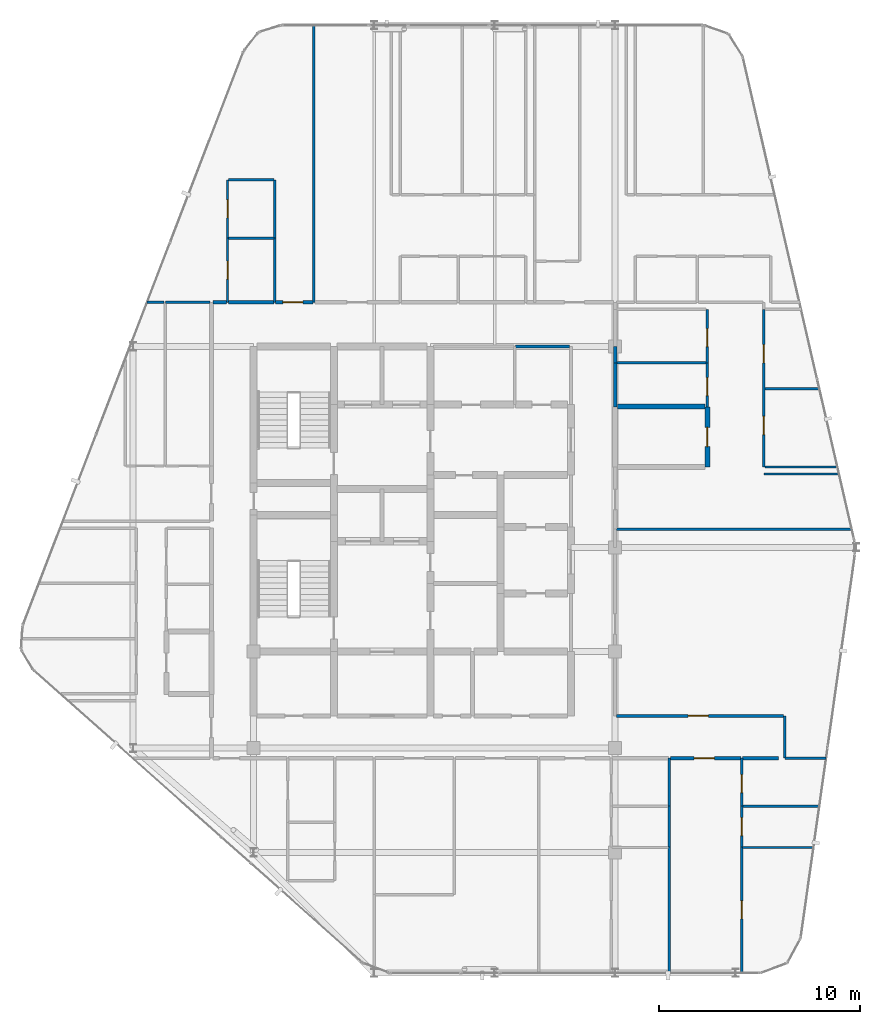
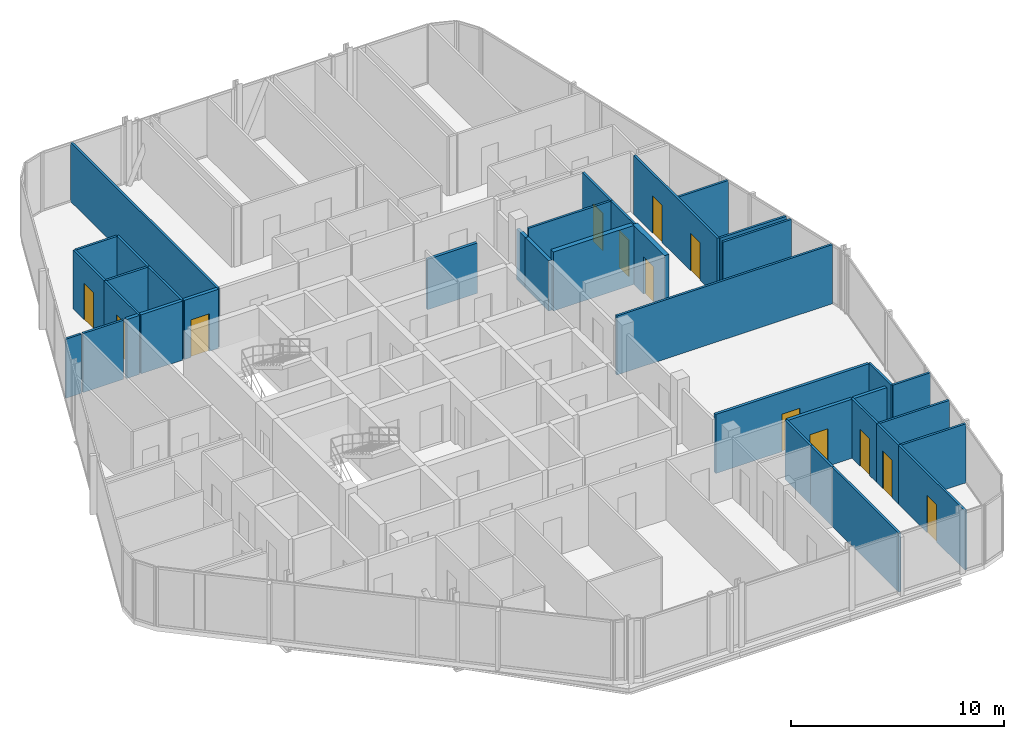
# One storey, part 25 of 28: 38 walls, 13 doors, 13 openings.
"""IFC4 building model written with IfcOpenShell, lengths in metres."""

import ifcopenshell
import ifcopenshell.guid

model = None  # the IFC model being written
_history = None  # IfcOwnerHistory: only IFC2X3 demands one
_inside = {}  # id of a spatial element -> (the spatial element, [elements in it])
_under = {}  # id of a project, library or spatial element -> (it, [spatial elements below it])
_declared = {}  # id of a project -> (the project, [libraries it declares])
_typed = {}  # id of a type object -> (the type object, [elements of that type])
_made_of = {}  # id of a material, layer set ... -> (it, [elements and type objects made of it])


def new_model(schema):
    """Start an empty IFC model of exactly this schema.

    Asked for "IFC4X3", IfcOpenShell would pick the latest addendum, in which some entities
    have other attributes; the version numbers below select the first issue.
    IFC2X3 requires an IfcOwnerHistory on every rooted entity: one is made here for all.
    """
    global model, _history
    if schema == "IFC4X3":
        model = ifcopenshell.file(schema_version=(4, 3, 0, 0))
    else:
        model = ifcopenshell.file(schema=schema)
    _inside.clear()
    _under.clear()
    _declared.clear()
    _typed.clear()
    _made_of.clear()
    _history = None
    if model.schema == "IFC2X3":
        org = make("IfcOrganization", Name="unknown")
        user = make(
            "IfcPersonAndOrganization",
            ThePerson=make("IfcPerson", FamilyName="unknown"),
            TheOrganization=org,
        )
        app = make(
            "IfcApplication",
            ApplicationDeveloper=org,
            Version="unknown",
            ApplicationFullName="unknown",
            ApplicationIdentifier="unknown",
        )
        _history = make(
            "IfcOwnerHistory",
            OwningUser=user,
            OwningApplication=app,
            ChangeAction="ADDED",
            CreationDate=0,
        )
    return model


def make(cls, **values):
    """One entity of the class cls with the attributes given. An attribute that is None is left unset."""
    return model.create_entity(
        cls, **{name: value for name, value in values.items() if value is not None}
    )


def rooted(cls, **values):
    """An entity with a GlobalId (a new one), such as an element, a storey or a relation."""
    return make(cls, GlobalId=ifcopenshell.guid.new(), OwnerHistory=_history, **values)


def si_unit(unit_type, name, prefix=None):
    """IfcSIUnit, for example si_unit("LENGTHUNIT", "METRE", prefix="MILLI")."""
    return make("IfcSIUnit", UnitType=unit_type, Prefix=prefix, Name=name)


def assignment(units):
    """IfcUnitAssignment: the units of a project."""
    return None if units is None else make("IfcUnitAssignment", Units=units)


def point(xyz):
    """IfcCartesianPoint."""
    return None if xyz is None else make("IfcCartesianPoint", Coordinates=xyz)


def direction(xyz):
    """IfcDirection."""
    return None if xyz is None else make("IfcDirection", DirectionRatios=xyz)


def frame(location, z_axis=None, x_axis=None):
    """IfcAxis2Placement3D, a coordinate frame: its origin and axes. An axis left out is left unset."""
    return make(
        "IfcAxis2Placement3D",
        Location=point(location),
        Axis=direction(z_axis),
        RefDirection=direction(x_axis),
    )


def frame_2d(location, x_axis=None):
    """IfcAxis2Placement2D, a coordinate frame in the plane: its origin and x axis."""
    return make(
        "IfcAxis2Placement2D", Location=point(location), RefDirection=direction(x_axis)
    )


def origin():
    """The frame at (0, 0, 0) with its axes left unset."""
    return frame((0.0, 0.0, 0.0))


def place(relative_to, where):
    """IfcLocalPlacement: puts the frame where relative to a parent placement (None: the world)."""
    return make(
        "IfcLocalPlacement", PlacementRelTo=relative_to, RelativePlacement=where
    )


def context(
    kind, dimensions, precision=None, world=None, true_north=None, identifier=None
):
    """IfcGeometricRepresentationContext, for example the 3D "Model" context."""
    return make(
        "IfcGeometricRepresentationContext",
        ContextIdentifier=identifier,
        ContextType=kind,
        CoordinateSpaceDimension=dimensions,
        Precision=precision,
        WorldCoordinateSystem=world,
        TrueNorth=true_north,
    )


def subcontext(parent, identifier, kind, view, scale=None):
    """IfcGeometricRepresentationSubContext, for example "Body" below "Model"."""
    return make(
        "IfcGeometricRepresentationSubContext",
        ContextIdentifier=identifier,
        ContextType=kind,
        ParentContext=parent,
        TargetScale=scale,
        TargetView=view,
    )


def project(units=None, contexts=None):
    """IfcProject with its units and contexts."""
    return rooted(
        "IfcProject",
        Name="project",
        RepresentationContexts=contexts,
        UnitsInContext=assignment(units),
    )


def spatial(cls, under=None, at=None, **own):
    """A site, building, storey or space (cls), placed at a placement, below another one or the project."""
    s = rooted(cls, ObjectPlacement=at, **own)
    if under is not None:
        _under.setdefault(under.id(), (under, []))[1].append(s)
    return s


def profile(cls, at=None, kind="AREA", **sizes):
    """A parametric profile (cls). Its sizes go by their IFC names, for example OverallWidth=200.0."""
    return make(cls, ProfileType=kind, Position=at, **sizes)


def rectangle(**sizes):
    """IfcRectangleProfileDef."""
    return profile("IfcRectangleProfileDef", **sizes)


def extrude(swept, where, along, depth):
    """IfcExtrudedAreaSolid: the profile swept, set in the frame where, extruded along a direction by depth."""
    return make(
        "IfcExtrudedAreaSolid",
        SweptArea=swept,
        Position=where,
        ExtrudedDirection=direction(along),
        Depth=depth,
    )


def shape(context_of_items, identifier, shape_type, items):
    """IfcShapeRepresentation: the items that make up one representation, for example the "Body"."""
    return make(
        "IfcShapeRepresentation",
        ContextOfItems=context_of_items,
        RepresentationIdentifier=identifier,
        RepresentationType=shape_type,
        Items=items,
    )


def material(Name=None, Category=None):
    """IfcMaterial."""
    return make("IfcMaterial", Name=Name, Category=Category)


def layer(
    of_material, thickness, ventilated=None, Name=None, Category=None, Priority=None
):
    """IfcMaterialLayer: one layer of a wall or slab, of a material (None: an air gap)."""
    return make(
        "IfcMaterialLayer",
        Material=of_material,
        LayerThickness=thickness,
        IsVentilated=ventilated,
        Name=Name,
        Category=Category,
        Priority=Priority,
    )


def layer_set(layers, Name=None):
    """IfcMaterialLayerSet."""
    return make("IfcMaterialLayerSet", MaterialLayers=layers, LayerSetName=Name)


def made_of(thing, what):
    """Note that an element or type object is made of a material, layer set ...; save() writes the relation."""
    if what is not None:
        _made_of.setdefault(what.id(), (what, []))[1].append(thing)
    return thing


def type_object(cls, material=None, **own):
    """A type object (cls), such as IfcWallType, which elements share."""
    return made_of(rooted(cls, **own), material)


def element(
    cls,
    number,
    at=None,
    inside=None,
    cuts=None,
    type_object=None,
    material=None,
    context=None,
    identifier="Body",
    shape_type=None,
    held_by="IfcProductDefinitionShape",
    body=None,
    shapes=None,
    **own,
):
    """One element of the class cls, such as IfcWall. Its Tag is "e" and its number.

    at: its placement. inside: the storey or other place that contains it. cuts: it is an
    opening in that element (IfcRelVoidsElement). A single representation is given by context,
    identifier, shape_type and body (its items); several are given by shapes. held_by: the class
    of the entity that holds the representations. save() writes the other relations.
    """
    e = rooted(cls, Tag="e%d" % number, ObjectPlacement=at, **own)
    if body is not None:
        shapes = [shape(context, identifier, shape_type, body)]
    if shapes is not None:
        e.Representation = make(held_by, Representations=shapes)
    if inside is not None:
        _inside.setdefault(inside.id(), (inside, []))[1].append(e)
    if cuts is not None:
        rooted(
            "IfcRelVoidsElement", RelatingBuildingElement=cuts, RelatedOpeningElement=e
        )
    if type_object is not None:
        _typed.setdefault(type_object.id(), (type_object, []))[1].append(e)
    return made_of(e, material)


def fill(opening, filler):
    """IfcRelFillsElement: the door or window that sits in an opening."""
    return rooted(
        "IfcRelFillsElement",
        RelatingOpeningElement=opening,
        RelatedBuildingElement=filler,
    )


def aggregate(whole, parts):
    """IfcRelAggregates: a whole, such as a stair, and the parts it consists of."""
    return rooted("IfcRelAggregates", RelatingObject=whole, RelatedObjects=parts)


def save(model, path):
    """Write the relations noted so far, then the file.

    IfcRelAggregates (storeys below a building ...), IfcRelContainedInSpatialStructure (elements
    in a storey), IfcRelDefinesByType, IfcRelAssociatesMaterial and IfcRelDeclares: one each for
    every whole, place, type object, material and project.
    """
    for whole, parts in _under.values():
        aggregate(whole, parts)
    for where, things in _inside.values():
        rooted(
            "IfcRelContainedInSpatialStructure",
            RelatedElements=things,
            RelatingStructure=where,
        )
    for kind, things in _typed.values():
        rooted("IfcRelDefinesByType", RelatedObjects=things, RelatingType=kind)
    for what, things in _made_of.values():
        rooted("IfcRelAssociatesMaterial", RelatedObjects=things, RelatingMaterial=what)
    for by, libraries in _declared.values():
        rooted("IfcRelDeclares", RelatingContext=by, RelatedDefinitions=libraries)
    model.write(path)


model = new_model("IFC4")

# Units and contexts
model_context = context("Model", 3, precision=1e-05, world=origin(), true_north=direction((0.0, 1.0)))
body_context = subcontext(model_context, "Body", "Model", "MODEL_VIEW")
ifc_project = project(units=[si_unit("LENGTHUNIT", "METRE"), si_unit("AREAUNIT", "SQUARE_METRE"), si_unit("VOLUMEUNIT", "CUBIC_METRE"), si_unit("PLANEANGLEUNIT", "RADIAN"), si_unit("MASSUNIT", "GRAM", prefix="KILO")], contexts=[model_context])

# Site, building, storey
site_placement = place(None, origin())
site = spatial("IfcSite", under=ifc_project, at=site_placement, CompositionType="ELEMENT")
building_placement = place(site_placement, origin())
building = spatial("IfcBuilding", under=site, at=building_placement, Name="Keshet Zoharim Tower", CompositionType="ELEMENT")
storey_placement = place(building_placement, frame((0.0, 0.0, 303.60009765625)))
storey = spatial("IfcBuildingStorey", under=building, at=storey_placement, Name="L76", CompositionType="ELEMENT", Elevation=303.60009765625)

# Wall, opening, door
ifc_material_1 = material(Name="Gypsum Plasterboard", Category="gypsum")
ifc_layer_1 = layer(ifc_material_1, 0.14990234375)
ifc_layer_set_1 = layer_set([ifc_layer_1], Name="Gypsum Plasterboard")
wall_type_1 = type_object("IfcWallType", Name="WL-CLIN-150", PredefinedType="STANDARD", material=ifc_layer_set_1)
wall_1_placement = place(storey_placement, frame((33.06005859375, 19.5, 0.0), z_axis=(0.0, 0.0, 1.0), x_axis=(1.0, 0.0, 0.0)))
wall_1 = element("IfcWall", 1, at=wall_1_placement, inside=storey, type_object=wall_type_1, Name="L76 Interior Wall 115", PredefinedType="STANDARD", context=body_context, shape_type="SweptSolid", body=[
    extrude(rectangle(XDim=8.322998046875, YDim=0.14990234375, at=frame_2d((4.16162109375, 0.0))), origin(), (0.0, 0.0, 1.0), 3.389892578125),
])
opening_1_placement = place(wall_1_placement, frame((3.5830078125, 0.0, 0.0)))
opening_1 = element("IfcOpeningElement", 2, at=opening_1_placement, cuts=wall_1, Name="Opening D-F310", PredefinedType="OPENING", context=body_context, shape_type="SweptSolid", body=[
    extrude(rectangle(XDim=1.0, YDim=2.14990234375, at=frame_2d((0.5, 1.074951171875))), frame((0.0, 0.0849609375, 0.0), z_axis=(0.0, -1.0, 0.0), x_axis=(1.0, 0.0, 0.0)), (0.0, 0.0, 1.0), 0.169921875),
])
ifc_material_2 = material(Name="Hardwood Timber", Category="wood")
door_type_1 = type_object("IfcDoorType", Name="DR-FD30-100", OperationType="NOTDEFINED", PredefinedType="DOOR", material=ifc_material_2)
door_1_placement = place(opening_1_placement, origin())
door_1 = element("IfcDoor", 3, at=door_1_placement, inside=storey, type_object=door_type_1, Name="L76 South West Residents Services Suite Door 2", OperationType="SINGLE_SWING_LEFT", OverallHeight=2.14990234375, OverallWidth=1.0, PredefinedType="DOOR", context=body_context, shape_type="SweptSolid", body=[
    extrude(rectangle(XDim=1.0, YDim=2.14990234375, at=frame_2d((0.5, 1.074951171875))), frame((0.0, 0.02490234375, 0.0), z_axis=(0.0, -1.0, 0.0), x_axis=(1.0, 0.0, 0.0)), (0.0, 0.0, 1.0), 0.050048828125),
])
fill(opening_1, door_1)

# Walls
wall_2_placement = place(storey_placement, frame((28.044921875, 37.89990234375, 0.0), z_axis=(0.0, 0.0, 1.0), x_axis=(1.0, 0.0, 0.0)))
element("IfcWall", 4, at=wall_2_placement, inside=storey, type_object=wall_type_1, Name="L76 Interior Wall 157", PredefinedType="STANDARD", context=body_context, shape_type="SweptSolid", body=[
    extrude(rectangle(XDim=2.695068359375, YDim=0.14990234375, at=frame_2d((1.34765625, 0.0))), origin(), (0.0, 0.0, 1.0), 2.889892578125),
])
ifc_layer_2 = layer(ifc_material_1, 0.179931640625)
ifc_layer_set_2 = layer_set([ifc_layer_2], Name="Gypsum Plasterboard")
wall_type_2 = type_object("IfcWallType", Name="WL-CORR-180", PredefinedType="STANDARD", material=ifc_layer_set_2)
wall_3_placement = place(storey_placement, frame((33.0, 34.883056640625, 0.0), z_axis=(0.0, 0.0, 1.0), x_axis=(0.0, 1.0, 0.0)))
element("IfcWall", 5, at=wall_3_placement, inside=storey, type_object=wall_type_2, Name="L76 Interior Wall 072", PredefinedType="STANDARD", context=body_context, shape_type="SweptSolid", body=[
    extrude(rectangle(XDim=2.197998046875, YDim=0.179931640625, at=frame_2d((1.09912109375, 0.0))), origin(), (0.0, 0.0, 1.0), 2.889892578125),
])
wall_4_placement = place(storey_placement, frame((33.0, 37.0810546875, 0.0), z_axis=(0.0, 0.0, 1.0), x_axis=(0.0, 1.0, 0.0)))
element("IfcWall", 6, at=wall_4_placement, inside=storey, type_object=wall_type_2, Name="L76 Interior Wall 073", PredefinedType="STANDARD", context=body_context, shape_type="SweptSolid", body=[
    extrude(rectangle(XDim=0.81884765625, YDim=0.179931640625, at=frame_2d((0.409423828125, 0.0))), origin(), (0.0, 0.0, 1.0), 2.889892578125),
])

# Wall, opening, door
wall_5_placement = place(storey_placement, frame((35.7548828125, 17.39990234375, 0.0), z_axis=(0.0, 0.0, 1.0), x_axis=(1.0, 0.0, 0.0)))
wall_5 = element("IfcWall", 7, at=wall_5_placement, inside=storey, type_object=wall_type_2, Name="L76 Interior Wall 108", PredefinedType="STANDARD", context=body_context, shape_type="SweptSolid", body=[
    extrude(rectangle(XDim=3.510009765625, YDim=0.179931640625, at=frame_2d((1.7548828125, 0.0))), origin(), (0.0, 0.0, 1.0), 3.389892578125),
])
opening_2_placement = place(wall_5_placement, frame((1.18505859375, 0.0, 0.0)))
opening_2 = element("IfcOpeningElement", 8, at=opening_2_placement, cuts=wall_5, Name="Opening D-F310", PredefinedType="OPENING", context=body_context, shape_type="SweptSolid", body=[
    extrude(rectangle(XDim=1.0, YDim=2.14990234375, at=frame_2d((0.5, 1.074951171875))), frame((0.0, 0.10009765625, 0.0), z_axis=(0.0, -1.0, 0.0), x_axis=(1.0, 0.0, 0.0)), (0.0, 0.0, 1.0), 0.199951171875),
])
door_2_placement = place(opening_2_placement, origin())
door_2 = element("IfcDoor", 9, at=door_2_placement, inside=storey, type_object=door_type_1, Name="Apartment 7603 Entrance Door", OperationType="SINGLE_SWING_RIGHT", OverallHeight=2.14990234375, OverallWidth=1.0, PredefinedType="DOOR", context=body_context, shape_type="SweptSolid", body=[
    extrude(rectangle(XDim=1.0, YDim=2.14990234375, at=frame_2d((0.5, 1.074951171875))), frame((0.0, 0.02490234375, 0.0), z_axis=(0.0, -1.0, 0.0), x_axis=(1.0, 0.0, 0.0)), (0.0, 0.0, 1.0), 0.050048828125),
])
fill(opening_2, door_2)

# Walls
wall_6_placement = place(storey_placement, frame((39.35498046875, 17.39990234375, 0.0), z_axis=(0.0, 0.0, 1.0), x_axis=(1.0, 0.0, 0.0)))
element("IfcWall", 10, at=wall_6_placement, inside=storey, type_object=wall_type_2, Name="L76 Interior Wall 109", PredefinedType="STANDARD", context=body_context, shape_type="SweptSolid", body=[
    extrude(rectangle(XDim=1.77490234375, YDim=0.179931640625, at=frame_2d((0.887451171875, 0.0))), origin(), (0.0, 0.0, 1.0), 3.389892578125),
])
wall_7_placement = place(storey_placement, frame((12.97509765625, 40.10009765625, 0.0), z_axis=(0.0, 0.0, 1.0), x_axis=(1.0, 0.0, 0.0)))
element("IfcWall", 11, at=wall_7_placement, inside=storey, type_object=wall_type_2, Name="L76 Interior Wall 162", PredefinedType="STANDARD", context=body_context, shape_type="SweptSolid", body=[
    extrude(rectangle(XDim=0.679931640625, YDim=0.179931640625, at=frame_2d((0.33984375, 0.0))), origin(), (0.0, 0.0, 1.0), 3.389892578125),
])
wall_8_placement = place(storey_placement, frame((13.7451171875, 40.10009765625, 0.0), z_axis=(0.0, 0.0, 1.0), x_axis=(1.0, 0.0, 0.0)))
element("IfcWall", 12, at=wall_8_placement, inside=storey, type_object=wall_type_2, Name="L76 Interior Wall 163", PredefinedType="STANDARD", context=body_context, shape_type="SweptSolid", body=[
    extrude(rectangle(XDim=2.259765625, YDim=0.179931640625, at=frame_2d((1.1298828125, 0.0))), origin(), (0.0, 0.0, 1.0), 3.389892578125),
])

# Wall, opening, door
wall_9_placement = place(storey_placement, frame((16.094970703125, 40.10009765625, 0.0), z_axis=(0.0, 0.0, 1.0), x_axis=(1.0, 0.0, 0.0)))
wall_9 = element("IfcWall", 13, at=wall_9_placement, inside=storey, type_object=wall_type_2, Name="L76 Interior Wall 164", PredefinedType="STANDARD", context=body_context, shape_type="SweptSolid", body=[
    extrude(rectangle(XDim=1.860107421875, YDim=0.179931640625, at=frame_2d((0.93017578125, 0.0))), origin(), (0.0, 0.0, 1.0), 3.389892578125),
])
opening_3_placement = place(wall_9_placement, frame((0.35693359375, 0.0, 0.0)))
opening_3 = element("IfcOpeningElement", 14, at=opening_3_placement, cuts=wall_9, Name="Opening D-F310", PredefinedType="OPENING", context=body_context, shape_type="SweptSolid", body=[
    extrude(rectangle(XDim=1.0, YDim=2.14990234375, at=frame_2d((0.5, 1.074951171875))), frame((0.0, 0.10009765625, 0.0), z_axis=(0.0, -1.0, 0.0), x_axis=(1.0, 0.0, 0.0)), (0.0, 0.0, 1.0), 0.199951171875),
])
door_3_placement = place(opening_3_placement, origin())
door_3 = element("IfcDoor", 15, at=door_3_placement, inside=storey, type_object=door_type_1, Name="Apartment 7604 Entrance Door", OperationType="SINGLE_SWING_RIGHT", OverallHeight=2.14990234375, OverallWidth=1.0, PredefinedType="DOOR", context=body_context, shape_type="SweptSolid", body=[
    extrude(rectangle(XDim=1.0, YDim=2.14990234375, at=frame_2d((0.5, 1.074951171875))), frame((0.0, 0.02490234375, 0.0), z_axis=(0.0, -1.0, 0.0), x_axis=(1.0, 0.0, 0.0)), (0.0, 0.0, 1.0), 0.050048828125),
])
fill(opening_3, door_3)

ifc_material_3 = material(Name="Concrete C50/60", Category="concrete")
ifc_layer_3 = layer(ifc_material_3, 0.25)
ifc_layer_set_3 = layer_set([ifc_layer_3], Name="Concrete C50/60")
wall_type_3 = type_object("IfcWallType", Name="WL-MAMAD-250", PredefinedType="STANDARD", material=ifc_layer_set_3)
wall_10_placement = place(storey_placement, frame((37.60009765625, 31.89990234375, 0.0), z_axis=(0.0, 0.0, 1.0), x_axis=(0.0, 1.0, 0.0)))
wall_10 = element("IfcWall", 16, at=wall_10_placement, inside=storey, type_object=wall_type_3, Name="L76 Interior Wall 083", PredefinedType="STANDARD", context=body_context, shape_type="SweptSolid", body=[
    extrude(rectangle(XDim=2.983154296875, YDim=0.25, at=frame_2d((1.49169921875, 0.0))), origin(), (0.0, 0.0, 1.0), 3.389892578125),
])
opening_4_placement = place(wall_10_placement, frame((1.01708984375, 0.0, 0.0)))
opening_4 = element("IfcOpeningElement", 17, at=opening_4_placement, cuts=wall_10, Name="Opening D-F695", PredefinedType="OPENING", context=body_context, shape_type="SweptSolid", body=[
    extrude(rectangle(XDim=0.949951171875, YDim=2.14990234375, at=frame_2d((0.47509765625, 1.074951171875))), frame((0.0, 0.135009765625, 0.0), z_axis=(0.0, -1.0, 0.0), x_axis=(1.0, 0.0, 0.0)), (0.0, 0.0, 1.0), 0.27001953125),
])
door_type_2 = type_object("IfcDoorType", Name="DR-FD60-095", OperationType="NOTDEFINED", PredefinedType="DOOR", material=ifc_material_2)
door_4_placement = place(opening_4_placement, origin())
door_4 = element("IfcDoor", 18, at=door_4_placement, inside=storey, type_object=door_type_2, Name="Apartment 7609 Study and Shelter Room Door", OperationType="SINGLE_SWING_RIGHT", OverallHeight=2.14990234375, OverallWidth=0.949951171875, PredefinedType="DOOR", context=body_context, shape_type="SweptSolid", body=[
    extrude(rectangle(XDim=0.949951171875, YDim=2.14990234375, at=frame_2d((0.47509765625, 1.074951171875))), frame((0.0, 0.02490234375, 0.0), z_axis=(0.0, -1.0, 0.0), x_axis=(1.0, 0.0, 0.0)), (0.0, 0.0, 1.0), 0.050048828125),
])
fill(opening_4, door_4)

# Wall
wall_11_placement = place(storey_placement, frame((33.110107421875, 34.89990234375, 0.0), z_axis=(0.0, 0.0, 1.0), x_axis=(1.0, 0.0, 0.0)))
element("IfcWall", 19, at=wall_11_placement, inside=storey, type_object=wall_type_3, Name="L76 Interior Wall 148", PredefinedType="STANDARD", context=body_context, shape_type="SweptSolid", body=[
    extrude(rectangle(XDim=4.35986328125, YDim=0.25, at=frame_2d((2.179931640625, 0.0))), origin(), (0.0, 0.0, 1.0), 3.389892578125),
])

# Wall, opening, door
ifc_layer_4 = layer(ifc_material_1, 0.1201171875)
ifc_layer_set_4 = layer_set([ifc_layer_4], Name="Gypsum Plasterboard")
wall_type_4 = type_object("IfcWallType", Name="WL-PART-120", PredefinedType="PARTITIONING", material=ifc_layer_set_4)
wall_12_placement = place(storey_placement, frame((13.699951171875, 40.10009765625, 0.0), z_axis=(0.0, 0.0, 1.0), x_axis=(0.0, 1.0, 0.0)))
wall_12 = element("IfcWall", 20, at=wall_12_placement, inside=storey, type_object=wall_type_4, Name="L76 Interior Wall 013", PredefinedType="PARTITIONING", context=body_context, shape_type="SweptSolid", body=[
    extrude(rectangle(XDim=3.199951171875, YDim=0.1201171875, at=frame_2d((1.60009765625, 0.0))), origin(), (0.0, 0.0, 1.0), 3.389892578125),
])
opening_5_placement = place(wall_12_placement, frame((1.14990234375, 0.0, 0.0)))
opening_5 = element("IfcOpeningElement", 21, at=opening_5_placement, cuts=wall_12, Name="Opening D-IN90", PredefinedType="OPENING", context=body_context, shape_type="SweptSolid", body=[
    extrude(rectangle(XDim=0.89990234375, YDim=2.14990234375, at=frame_2d((0.449951171875, 1.074951171875))), frame((0.0, 0.070068359375, 0.0), z_axis=(0.0, -1.0, 0.0), x_axis=(1.0, 0.0, 0.0)), (0.0, 0.0, 1.0), 0.14013671875),
])
door_type_3 = type_object("IfcDoorType", Name="DR-INT-090", OperationType="NOTDEFINED", PredefinedType="DOOR", material=ifc_material_2)
door_5_placement = place(opening_5_placement, origin())
door_5 = element("IfcDoor", 22, at=door_5_placement, inside=storey, type_object=door_type_3, Name="Apartment 7604 Kitchenette Door", OperationType="SINGLE_SWING_LEFT", OverallHeight=2.14990234375, OverallWidth=0.89990234375, PredefinedType="DOOR", context=body_context, shape_type="SweptSolid", body=[
    extrude(rectangle(XDim=0.89990234375, YDim=2.14990234375, at=frame_2d((0.449951171875, 1.074951171875))), frame((0.0, 0.02490234375, 0.0), z_axis=(0.0, -1.0, 0.0), x_axis=(1.0, 0.0, 0.0)), (0.0, 0.0, 1.0), 0.050048828125),
])
fill(opening_5, door_5)

# Walls
wall_13_placement = place(storey_placement, frame((16.050048828125, 40.10009765625, 0.0), z_axis=(0.0, 0.0, 1.0), x_axis=(0.0, 1.0, 0.0)))
element("IfcWall", 23, at=wall_13_placement, inside=storey, type_object=wall_type_4, Name="L76 Interior Wall 019", PredefinedType="PARTITIONING", context=body_context, shape_type="SweptSolid", body=[
    extrude(rectangle(XDim=3.199951171875, YDim=0.1201171875, at=frame_2d((1.60009765625, 0.0))), origin(), (0.0, 0.0, 1.0), 3.389892578125),
])
wall_14_placement = place(storey_placement, frame((18.0, 40.10009765625, 0.0), z_axis=(0.0, 0.0, 1.0), x_axis=(0.0, 1.0, 0.0)))
element("IfcWall", 24, at=wall_14_placement, inside=storey, type_object=wall_type_4, Name="L76 Interior Wall 023", PredefinedType="PARTITIONING", context=body_context, shape_type="SweptSolid", body=[
    extrude(rectangle(XDim=13.789794921875, YDim=0.1201171875, at=frame_2d((6.89501953125, 0.0))), origin(), (0.0, 0.0, 1.0), 3.389892578125),
])
wall_15_placement = place(storey_placement, frame((35.699951171875, 6.7099609375, 0.0), z_axis=(0.0, 0.0, 1.0), x_axis=(0.0, 1.0, 0.0)))
element("IfcWall", 25, at=wall_15_placement, inside=storey, type_object=wall_type_4, Name="L76 Interior Wall 078", PredefinedType="PARTITIONING", context=body_context, shape_type="SweptSolid", body=[
    extrude(rectangle(XDim=6.260009765625, YDim=0.1201171875, at=frame_2d((3.1298828125, 0.0))), origin(), (0.0, 0.0, 1.0), 3.389892578125),
])
wall_16_placement = place(storey_placement, frame((35.699951171875, 12.969970703125, 0.0), z_axis=(0.0, 0.0, 1.0), x_axis=(0.0, 1.0, 0.0)))
element("IfcWall", 26, at=wall_16_placement, inside=storey, type_object=wall_type_4, Name="L76 Interior Wall 079", PredefinedType="PARTITIONING", context=body_context, shape_type="SweptSolid", body=[
    extrude(rectangle(XDim=2.0380859375, YDim=0.1201171875, at=frame_2d((1.01904296875, 0.0))), origin(), (0.0, 0.0, 1.0), 3.389892578125),
])

# Wall, opening, door
wall_17_placement = place(storey_placement, frame((37.60009765625, 37.0810546875, 0.0), z_axis=(0.0, 0.0, 1.0), x_axis=(0.0, 1.0, 0.0)))
wall_17 = element("IfcWall", 27, at=wall_17_placement, inside=storey, type_object=wall_type_4, Name="L76 Interior Wall 085", PredefinedType="PARTITIONING", context=body_context, shape_type="SweptSolid", body=[
    extrude(rectangle(XDim=2.6689453125, YDim=0.1201171875, at=frame_2d((1.33447265625, 0.0))), origin(), (0.0, 0.0, 1.0), 3.389892578125),
])
opening_6_placement = place(wall_17_placement, frame((0.81396484375, 0.0, 0.0)))
opening_6 = element("IfcOpeningElement", 28, at=opening_6_placement, cuts=wall_17, Name="Opening D-IN90", PredefinedType="OPENING", context=body_context, shape_type="SweptSolid", body=[
    extrude(rectangle(XDim=0.89990234375, YDim=2.14990234375, at=frame_2d((0.449951171875, 1.074951171875))), frame((0.0, 0.070068359375, 0.0), z_axis=(0.0, -1.0, 0.0), x_axis=(1.0, 0.0, 0.0)), (0.0, 0.0, 1.0), 0.14013671875),
])
door_6_placement = place(opening_6_placement, origin())
door_6 = element("IfcDoor", 29, at=door_6_placement, inside=storey, type_object=door_type_3, Name="Apartment 7609 Kitchen Door", OperationType="SINGLE_SWING_RIGHT", OverallHeight=2.14990234375, OverallWidth=0.89990234375, PredefinedType="DOOR", context=body_context, shape_type="SweptSolid", body=[
    extrude(rectangle(XDim=0.89990234375, YDim=2.14990234375, at=frame_2d((0.449951171875, 1.074951171875))), frame((0.0, 0.02490234375, 0.0), z_axis=(0.0, -1.0, 0.0), x_axis=(1.0, 0.0, 0.0)), (0.0, 0.0, 1.0), 0.050048828125),
])
fill(opening_6, door_6)

wall_18_placement = place(storey_placement, frame((39.300048828125, 6.7099609375, 0.0), z_axis=(0.0, 0.0, 1.0), x_axis=(0.0, 1.0, 0.0)))
wall_18 = element("IfcWall", 30, at=wall_18_placement, inside=storey, type_object=wall_type_4, Name="L76 Interior Wall 086", PredefinedType="PARTITIONING", context=body_context, shape_type="SweptSolid", body=[
    extrude(rectangle(XDim=6.260009765625, YDim=0.1201171875, at=frame_2d((3.1298828125, 0.0))), origin(), (0.0, 0.0, 1.0), 3.389892578125),
])
opening_7_placement = place(wall_18_placement, frame((2.679931640625, 0.0, 0.0)))
opening_7 = element("IfcOpeningElement", 31, at=opening_7_placement, cuts=wall_18, Name="Opening D-IN90", PredefinedType="OPENING", context=body_context, shape_type="SweptSolid", body=[
    extrude(rectangle(XDim=0.89990234375, YDim=2.14990234375, at=frame_2d((0.449951171875, 1.074951171875))), frame((0.0, 0.070068359375, 0.0), z_axis=(0.0, -1.0, 0.0), x_axis=(1.0, 0.0, 0.0)), (0.0, 0.0, 1.0), 0.14013671875),
])
door_7_placement = place(opening_7_placement, origin())
door_7 = element("IfcDoor", 32, at=door_7_placement, inside=storey, type_object=door_type_3, Name="Apartment 7603 Bedroom 1 Door", OperationType="SINGLE_SWING_LEFT", OverallHeight=2.14990234375, OverallWidth=0.89990234375, PredefinedType="DOOR", context=body_context, shape_type="SweptSolid", body=[
    extrude(rectangle(XDim=0.89990234375, YDim=2.14990234375, at=frame_2d((0.449951171875, 1.074951171875))), frame((0.0, 0.02490234375, 0.0), z_axis=(0.0, -1.0, 0.0), x_axis=(1.0, 0.0, 0.0)), (0.0, 0.0, 1.0), 0.050048828125),
])
fill(opening_7, door_7)

wall_19_placement = place(storey_placement, frame((39.300048828125, 12.969970703125, 0.0), z_axis=(0.0, 0.0, 1.0), x_axis=(0.0, 1.0, 0.0)))
wall_19 = element("IfcWall", 33, at=wall_19_placement, inside=storey, type_object=wall_type_4, Name="L76 Interior Wall 087", PredefinedType="PARTITIONING", context=body_context, shape_type="SweptSolid", body=[
    extrude(rectangle(XDim=2.0380859375, YDim=0.1201171875, at=frame_2d((1.01904296875, 0.0))), origin(), (0.0, 0.0, 1.0), 3.389892578125),
])
opening_8_placement = place(wall_19_placement, frame((0.569091796875, 0.0, 0.0)))
opening_8 = element("IfcOpeningElement", 34, at=opening_8_placement, cuts=wall_19, Name="Opening D-IN90", PredefinedType="OPENING", context=body_context, shape_type="SweptSolid", body=[
    extrude(rectangle(XDim=0.89990234375, YDim=2.14990234375, at=frame_2d((0.449951171875, 1.074951171875))), frame((0.0, 0.070068359375, 0.0), z_axis=(0.0, -1.0, 0.0), x_axis=(1.0, 0.0, 0.0)), (0.0, 0.0, 1.0), 0.14013671875),
])
door_8_placement = place(opening_8_placement, origin())
door_8 = element("IfcDoor", 35, at=door_8_placement, inside=storey, type_object=door_type_3, Name="Apartment 7603 Kitchen Door", OperationType="SINGLE_SWING_RIGHT", OverallHeight=2.14990234375, OverallWidth=0.89990234375, PredefinedType="DOOR", context=body_context, shape_type="SweptSolid", body=[
    extrude(rectangle(XDim=0.89990234375, YDim=2.14990234375, at=frame_2d((0.449951171875, 1.074951171875))), frame((0.0, 0.02490234375, 0.0), z_axis=(0.0, -1.0, 0.0), x_axis=(1.0, 0.0, 0.0)), (0.0, 0.0, 1.0), 0.050048828125),
])
fill(opening_8, door_8)

# Wall, openings, doors
wall_20_placement = place(storey_placement, frame((40.39990234375, 31.89990234375, 0.0), z_axis=(0.0, 0.0, 1.0), x_axis=(0.0, 1.0, 0.0)))
wall_20 = element("IfcWall", 36, at=wall_20_placement, inside=storey, type_object=wall_type_4, Name="L76 Interior Wall 089", PredefinedType="PARTITIONING", context=body_context, shape_type="SweptSolid", body=[
    extrude(rectangle(XDim=7.85009765625, YDim=0.1201171875, at=frame_2d((3.925048828125, 0.0))), origin(), (0.0, 0.0, 1.0), 3.389892578125),
])
opening_9_placement = place(wall_20_placement, frame((1.614990234375, 0.0, 0.0)))
opening_9 = element("IfcOpeningElement", 37, at=opening_9_placement, cuts=wall_20, Name="Opening D-IN90", PredefinedType="OPENING", context=body_context, shape_type="SweptSolid", body=[
    extrude(rectangle(XDim=0.89990234375, YDim=2.14990234375, at=frame_2d((0.449951171875, 1.074951171875))), frame((0.0, 0.070068359375, 0.0), z_axis=(0.0, -1.0, 0.0), x_axis=(1.0, 0.0, 0.0)), (0.0, 0.0, 1.0), 0.14013671875),
])
opening_10_placement = place(wall_20_placement, frame((5.18994140625, 0.0, 0.0)))
opening_10 = element("IfcOpeningElement", 38, at=opening_10_placement, cuts=wall_20, Name="Opening D-IN90", PredefinedType="OPENING", context=body_context, shape_type="SweptSolid", body=[
    extrude(rectangle(XDim=0.89990234375, YDim=2.14990234375, at=frame_2d((0.449951171875, 1.074951171875))), frame((0.0, 0.070068359375, 0.0), z_axis=(0.0, -1.0, 0.0), x_axis=(1.0, 0.0, 0.0)), (0.0, 0.0, 1.0), 0.14013671875),
])
door_9_placement = place(opening_9_placement, origin())
door_9 = element("IfcDoor", 39, at=door_9_placement, inside=storey, type_object=door_type_3, Name="Apartment 7609 Bedroom 1 Door", OperationType="SINGLE_SWING_RIGHT", OverallHeight=2.14990234375, OverallWidth=0.89990234375, PredefinedType="DOOR", context=body_context, shape_type="SweptSolid", body=[
    extrude(rectangle(XDim=0.89990234375, YDim=2.14990234375, at=frame_2d((0.449951171875, 1.074951171875))), frame((0.0, 0.02490234375, 0.0), z_axis=(0.0, -1.0, 0.0), x_axis=(1.0, 0.0, 0.0)), (0.0, 0.0, 1.0), 0.050048828125),
])
fill(opening_9, door_9)
door_10_placement = place(opening_10_placement, origin())
door_10 = element("IfcDoor", 40, at=door_10_placement, inside=storey, type_object=door_type_3, Name="Apartment 7609 Bedroom 2 Door", OperationType="SINGLE_SWING_LEFT", OverallHeight=2.14990234375, OverallWidth=0.89990234375, PredefinedType="DOOR", context=body_context, shape_type="SweptSolid", body=[
    extrude(rectangle(XDim=0.89990234375, YDim=2.14990234375, at=frame_2d((0.449951171875, 1.074951171875))), frame((0.0, 0.02490234375, 0.0), z_axis=(0.0, -1.0, 0.0), x_axis=(1.0, 0.0, 0.0)), (0.0, 0.0, 1.0), 0.050048828125),
])
fill(opening_10, door_10)

# Walls
wall_21_placement = place(storey_placement, frame((41.449951171875, 17.39990234375, 0.0), z_axis=(0.0, 0.0, 1.0), x_axis=(0.0, 1.0, 0.0)))
element("IfcWall", 41, at=wall_21_placement, inside=storey, type_object=wall_type_4, Name="L76 Interior Wall 092", PredefinedType="PARTITIONING", context=body_context, shape_type="SweptSolid", body=[
    extrude(rectangle(XDim=2.09912109375, YDim=0.1201171875, at=frame_2d((1.049560546875, 0.0))), origin(), (0.0, 0.0, 1.0), 3.389892578125),
])
wall_22_placement = place(storey_placement, frame((39.35498046875, 12.949951171875, 0.0), z_axis=(0.0, 0.0, 1.0), x_axis=(1.0, 0.0, 0.0)))
element("IfcWall", 42, at=wall_22_placement, inside=storey, type_object=wall_type_4, Name="L76 Interior Wall 096", PredefinedType="PARTITIONING", context=body_context, shape_type="SweptSolid", body=[
    extrude(rectangle(XDim=3.51904296875, YDim=0.1201171875, at=frame_2d((1.759521484375, 0.0))), origin(), (0.0, 0.0, 1.0), 3.389892578125),
])
wall_23_placement = place(storey_placement, frame((33.074951171875, 28.800048828125, 0.0), z_axis=(0.0, 0.0, 1.0), x_axis=(1.0, 0.0, 0.0)))
element("IfcWall", 43, at=wall_23_placement, inside=storey, type_object=wall_type_4, Name="L76 Interior Wall 131", PredefinedType="PARTITIONING", context=body_context, shape_type="SweptSolid", body=[
    extrude(rectangle(XDim=11.70703125, YDim=0.1201171875, at=frame_2d((5.853515625, 0.0))), origin(), (0.0, 0.0, 1.0), 3.389892578125),
])
wall_24_placement = place(storey_placement, frame((40.419921875, 31.550048828125, 0.0), z_axis=(0.0, 0.0, 1.0), x_axis=(1.0, 0.0, 0.0)))
element("IfcWall", 44, at=wall_24_placement, inside=storey, type_object=wall_type_4, Name="L76 Interior Wall 143", PredefinedType="PARTITIONING", context=body_context, shape_type="SweptSolid", body=[
    extrude(rectangle(XDim=3.72705078125, YDim=0.1201171875, at=frame_2d((1.863525390625, 0.0))), origin(), (0.0, 0.0, 1.0), 3.389892578125),
])
wall_25_placement = place(storey_placement, frame((40.465087890625, 31.89990234375, 0.0), z_axis=(0.0, 0.0, 1.0), x_axis=(1.0, 0.0, 0.0)))
element("IfcWall", 45, at=wall_25_placement, inside=storey, type_object=wall_type_4, Name="L76 Interior Wall 145", PredefinedType="PARTITIONING", context=body_context, shape_type="SweptSolid", body=[
    extrude(rectangle(XDim=3.601806640625, YDim=0.1201171875, at=frame_2d((1.80078125, 0.0))), origin(), (0.0, 0.0, 1.0), 3.389892578125),
])
wall_26_placement = place(storey_placement, frame((40.465087890625, 35.800048828125, 0.0), z_axis=(0.0, 0.0, 1.0), x_axis=(1.0, 0.0, 0.0)))
element("IfcWall", 46, at=wall_26_placement, inside=storey, type_object=wall_type_4, Name="L76 Interior Wall 152", PredefinedType="PARTITIONING", context=body_context, shape_type="SweptSolid", body=[
    extrude(rectangle(XDim=2.701904296875, YDim=0.1201171875, at=frame_2d((1.35107421875, 0.0))), origin(), (0.0, 0.0, 1.0), 3.389892578125),
])
wall_27_placement = place(storey_placement, frame((9.701904296875, 40.10009765625, 0.0), z_axis=(0.0, 0.0, 1.0), x_axis=(1.0, 0.0, 0.0)))
element("IfcWall", 47, at=wall_27_placement, inside=storey, type_object=wall_type_4, Name="L76 Interior Wall 160", PredefinedType="PARTITIONING", context=body_context, shape_type="SweptSolid", body=[
    extrude(rectangle(XDim=0.8310546875, YDim=0.1201171875, at=frame_2d((0.41552734375, 0.0))), origin(), (0.0, 0.0, 1.0), 3.389892578125),
])

# Wall, opening, door
ifc_layer_5 = layer(ifc_material_1, 0.1201171875)
ifc_layer_set_5 = layer_set([ifc_layer_5], Name="Gypsum Plasterboard")
wall_type_5 = type_object("IfcWallType", Name="WL-WET-120", PredefinedType="PARTITIONING", material=ifc_layer_set_5)
wall_28_placement = place(storey_placement, frame((13.699951171875, 43.300048828125, 0.0), z_axis=(0.0, 0.0, 1.0), x_axis=(0.0, 1.0, 0.0)))
wall_28 = element("IfcWall", 48, at=wall_28_placement, inside=storey, type_object=wall_type_5, Name="L76 Interior Wall 014", PredefinedType="PARTITIONING", context=body_context, shape_type="SweptSolid", body=[
    extrude(rectangle(XDim=2.89990234375, YDim=0.1201171875, at=frame_2d((1.449951171875, 0.0))), origin(), (0.0, 0.0, 1.0), 3.389892578125),
])
opening_11_placement = place(wall_28_placement, frame((1.0, 0.0, 0.0)))
opening_11 = element("IfcOpeningElement", 49, at=opening_11_placement, cuts=wall_28, Name="Opening D-WT90", PredefinedType="OPENING", context=body_context, shape_type="SweptSolid", body=[
    extrude(rectangle(XDim=0.89990234375, YDim=2.10009765625, at=frame_2d((0.449951171875, 1.050048828125))), frame((0.0, 0.070068359375, 0.0), z_axis=(0.0, -1.0, 0.0), x_axis=(1.0, 0.0, 0.0)), (0.0, 0.0, 1.0), 0.14013671875),
])
door_type_4 = type_object("IfcDoorType", Name="DR-WET-090", OperationType="NOTDEFINED", PredefinedType="DOOR", material=ifc_material_2)
door_11_placement = place(opening_11_placement, origin())
door_11 = element("IfcDoor", 50, at=door_11_placement, inside=storey, type_object=door_type_4, Name="Apartment 7604 Bathroom Door", OperationType="SINGLE_SWING_RIGHT", OverallHeight=2.10009765625, OverallWidth=0.89990234375, PredefinedType="DOOR", context=body_context, shape_type="SweptSolid", body=[
    extrude(rectangle(XDim=0.89990234375, YDim=2.10009765625, at=frame_2d((0.449951171875, 1.050048828125))), frame((0.0, 0.02490234375, 0.0), z_axis=(0.0, -1.0, 0.0), x_axis=(1.0, 0.0, 0.0)), (0.0, 0.0, 1.0), 0.050048828125),
])
fill(opening_11, door_11)

# Walls
wall_29_placement = place(storey_placement, frame((16.050048828125, 43.300048828125, 0.0), z_axis=(0.0, 0.0, 1.0), x_axis=(0.0, 1.0, 0.0)))
element("IfcWall", 51, at=wall_29_placement, inside=storey, type_object=wall_type_5, Name="L76 Interior Wall 020", PredefinedType="PARTITIONING", context=body_context, shape_type="SweptSolid", body=[
    extrude(rectangle(XDim=2.89990234375, YDim=0.1201171875, at=frame_2d((1.449951171875, 0.0))), origin(), (0.0, 0.0, 1.0), 3.389892578125),
])
wall_30_placement = place(storey_placement, frame((35.699951171875, 15.008056640625, 0.0), z_axis=(0.0, 0.0, 1.0), x_axis=(0.0, 1.0, 0.0)))
element("IfcWall", 52, at=wall_30_placement, inside=storey, type_object=wall_type_5, Name="L76 Interior Wall 080", PredefinedType="PARTITIONING", context=body_context, shape_type="SweptSolid", body=[
    extrude(rectangle(XDim=2.391845703125, YDim=0.1201171875, at=frame_2d((1.19580078125, 0.0))), origin(), (0.0, 0.0, 1.0), 3.389892578125),
])

# Wall, opening, door
wall_31_placement = place(storey_placement, frame((37.60009765625, 34.883056640625, 0.0), z_axis=(0.0, 0.0, 1.0), x_axis=(0.0, 1.0, 0.0)))
wall_31 = element("IfcWall", 53, at=wall_31_placement, inside=storey, type_object=wall_type_5, Name="L76 Interior Wall 084", PredefinedType="PARTITIONING", context=body_context, shape_type="SweptSolid", body=[
    extrude(rectangle(XDim=2.197998046875, YDim=0.1201171875, at=frame_2d((1.09912109375, 0.0))), origin(), (0.0, 0.0, 1.0), 3.389892578125),
])
opening_12_placement = place(wall_31_placement, frame((0.572021484375, 0.0, 0.0)))
opening_12 = element("IfcOpeningElement", 54, at=opening_12_placement, cuts=wall_31, Name="Opening D-WT90", PredefinedType="OPENING", context=body_context, shape_type="SweptSolid", body=[
    extrude(rectangle(XDim=0.89990234375, YDim=2.10009765625, at=frame_2d((0.449951171875, 1.050048828125))), frame((0.0, 0.070068359375, 0.0), z_axis=(0.0, -1.0, 0.0), x_axis=(1.0, 0.0, 0.0)), (0.0, 0.0, 1.0), 0.14013671875),
])
door_12_placement = place(opening_12_placement, origin())
door_12 = element("IfcDoor", 55, at=door_12_placement, inside=storey, type_object=door_type_4, Name="Apartment 7609 Bathroom Door", OperationType="SINGLE_SWING_LEFT", OverallHeight=2.10009765625, OverallWidth=0.89990234375, PredefinedType="DOOR", context=body_context, shape_type="SweptSolid", body=[
    extrude(rectangle(XDim=0.89990234375, YDim=2.10009765625, at=frame_2d((0.449951171875, 1.050048828125))), frame((0.0, 0.02490234375, 0.0), z_axis=(0.0, -1.0, 0.0), x_axis=(1.0, 0.0, 0.0)), (0.0, 0.0, 1.0), 0.050048828125),
])
fill(opening_12, door_12)

wall_32_placement = place(storey_placement, frame((39.300048828125, 15.008056640625, 0.0), z_axis=(0.0, 0.0, 1.0), x_axis=(0.0, 1.0, 0.0)))
wall_32 = element("IfcWall", 56, at=wall_32_placement, inside=storey, type_object=wall_type_5, Name="L76 Interior Wall 088", PredefinedType="PARTITIONING", context=body_context, shape_type="SweptSolid", body=[
    extrude(rectangle(XDim=2.391845703125, YDim=0.1201171875, at=frame_2d((1.19580078125, 0.0))), origin(), (0.0, 0.0, 1.0), 3.389892578125),
])
opening_13_placement = place(wall_32_placement, frame((0.675048828125, 0.0, 0.0)))
opening_13 = element("IfcOpeningElement", 57, at=opening_13_placement, cuts=wall_32, Name="Opening D-WT90", PredefinedType="OPENING", context=body_context, shape_type="SweptSolid", body=[
    extrude(rectangle(XDim=0.89990234375, YDim=2.10009765625, at=frame_2d((0.449951171875, 1.050048828125))), frame((0.0, 0.070068359375, 0.0), z_axis=(0.0, -1.0, 0.0), x_axis=(1.0, 0.0, 0.0)), (0.0, 0.0, 1.0), 0.14013671875),
])
door_13_placement = place(opening_13_placement, origin())
door_13 = element("IfcDoor", 58, at=door_13_placement, inside=storey, type_object=door_type_4, Name="Apartment 7603 Bathroom Door", OperationType="SINGLE_SWING_LEFT", OverallHeight=2.10009765625, OverallWidth=0.89990234375, PredefinedType="DOOR", context=body_context, shape_type="SweptSolid", body=[
    extrude(rectangle(XDim=0.89990234375, YDim=2.10009765625, at=frame_2d((0.449951171875, 1.050048828125))), frame((0.0, 0.02490234375, 0.0), z_axis=(0.0, -1.0, 0.0), x_axis=(1.0, 0.0, 0.0)), (0.0, 0.0, 1.0), 0.050048828125),
])
fill(opening_13, door_13)

# Walls
wall_33_placement = place(storey_placement, frame((39.35498046875, 15.0, 0.0), z_axis=(0.0, 0.0, 1.0), x_axis=(1.0, 0.0, 0.0)))
element("IfcWall", 59, at=wall_33_placement, inside=storey, type_object=wall_type_5, Name="L76 Interior Wall 099", PredefinedType="PARTITIONING", context=body_context, shape_type="SweptSolid", body=[
    extrude(rectangle(XDim=3.80908203125, YDim=0.1201171875, at=frame_2d((1.904541015625, 0.0))), origin(), (0.0, 0.0, 1.0), 3.389892578125),
])
wall_34_placement = place(storey_placement, frame((41.472900390625, 17.39990234375, 0.0), z_axis=(0.0, 0.0, 1.0), x_axis=(1.0, 0.0, 0.0)))
element("IfcWall", 60, at=wall_34_placement, inside=storey, type_object=wall_type_5, Name="L76 Interior Wall 110", PredefinedType="PARTITIONING", context=body_context, shape_type="SweptSolid", body=[
    extrude(rectangle(XDim=2.031005859375, YDim=0.1201171875, at=frame_2d((1.015625, 0.0))), origin(), (0.0, 0.0, 1.0), 3.389892578125),
])
wall_35_placement = place(storey_placement, frame((33.074951171875, 37.10009765625, 0.0), z_axis=(0.0, 0.0, 1.0), x_axis=(1.0, 0.0, 0.0)))
element("IfcWall", 61, at=wall_35_placement, inside=storey, type_object=wall_type_5, Name="L76 Interior Wall 153", PredefinedType="PARTITIONING", context=body_context, shape_type="SweptSolid", body=[
    extrude(rectangle(XDim=4.4599609375, YDim=0.1201171875, at=frame_2d((2.22998046875, 0.0))), origin(), (0.0, 0.0, 1.0), 3.389892578125),
])
wall_36_placement = place(storey_placement, frame((10.623046875, 40.10009765625, 0.0), z_axis=(0.0, 0.0, 1.0), x_axis=(1.0, 0.0, 0.0)))
element("IfcWall", 62, at=wall_36_placement, inside=storey, type_object=wall_type_5, Name="L76 Interior Wall 161", PredefinedType="PARTITIONING", context=body_context, shape_type="SweptSolid", body=[
    extrude(rectangle(XDim=2.201904296875, YDim=0.1201171875, at=frame_2d((1.10107421875, 0.0))), origin(), (0.0, 0.0, 1.0), 3.389892578125),
])
for number, where, z_axis, x_axis, name in (
    (63, (13.7451171875, 43.300048828125, 0.0), (0.0, 0.0, 1.0), (1.0, 0.0, 0.0), "L76 Interior Wall 178"),
    (64, (13.7451171875, 46.199951171875, 0.0), (0.0, 0.0, 1.0), (1.0, 0.0, 0.0), "L76 Interior Wall 184"),
):
    element("IfcWall", number, at=place(storey_placement, frame(where, z_axis=z_axis, x_axis=x_axis)), inside=storey, type_object=wall_type_5, Name=name, PredefinedType="PARTITIONING", context=body_context, shape_type="SweptSolid", body=[
        extrude(rectangle(XDim=2.259765625, YDim=0.1201171875, at=frame_2d((1.1298828125, 0.0))), origin(), (0.0, 0.0, 1.0), 3.389892578125),
    ])

save(model, "model.ifc")
